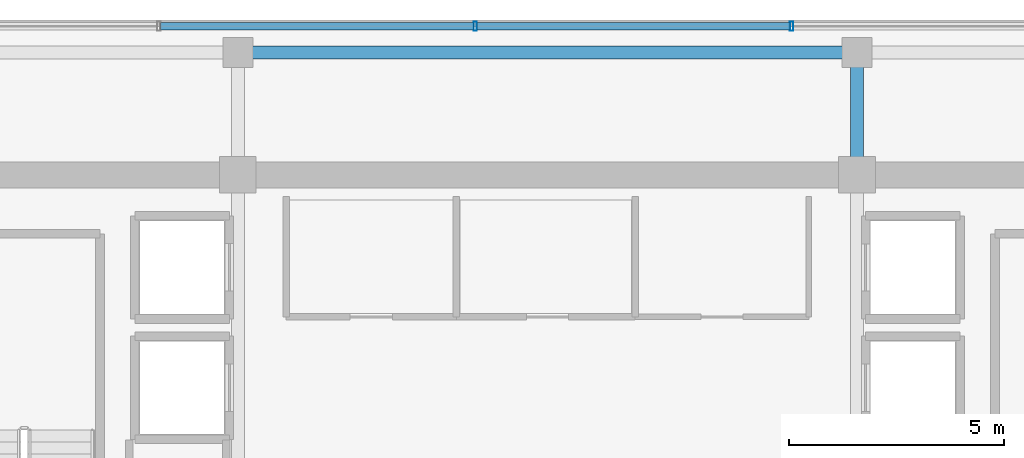
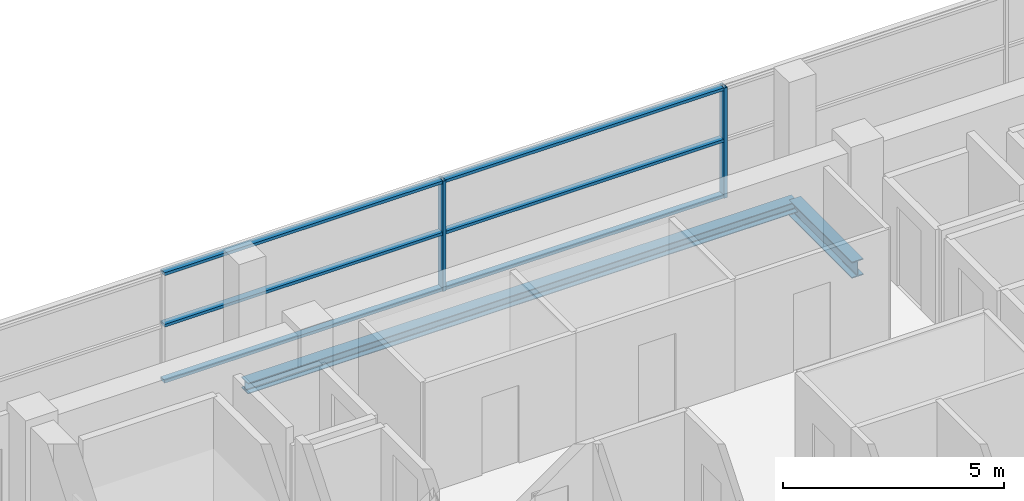
# One storey, part 12 of 21: 8 members, 2 beams, 1 element without a shape of its own.
"""IFC4 building model written with IfcOpenShell, lengths in metres."""

from ifc_helpers import new_model, si_unit, direction, frame, origin, origin_2d, place, context, subcontext, project, spatial, hollow_rectangle, i_section, extrude, source, transform, mapped, material, layer, layer_set, material_profile, profile_set, type_object, element, aggregate, save


model = new_model("IFC4")

# Units and contexts
model_context = context("Model", 3, precision=1e-05, world=origin(), true_north=direction((0.0, 1.0)))
body_context = subcontext(model_context, "Body", "Model", "MODEL_VIEW")
ifc_project = project(units=[si_unit("LENGTHUNIT", "METRE"), si_unit("AREAUNIT", "SQUARE_METRE"), si_unit("VOLUMEUNIT", "CUBIC_METRE"), si_unit("PLANEANGLEUNIT", "RADIAN"), si_unit("MASSUNIT", "GRAM", prefix="KILO")], contexts=[model_context])

# Site, building, storey
site_placement = place(None, origin())
site = spatial("IfcSite", under=ifc_project, at=site_placement, CompositionType="ELEMENT")
building_placement = place(site_placement, origin())
building = spatial("IfcBuilding", under=site, at=building_placement, Name="Zarnakvel Exchange Tower", CompositionType="ELEMENT")
storey_placement = place(building_placement, frame((0.0, 0.0, 248.5)))
storey = spatial("IfcBuildingStorey", under=building, at=storey_placement, Name="L70", CompositionType="ELEMENT", Elevation=248.5)

# Beams
ifc_material_1 = material(Name="Steel S355", Category="steel")
ifc_material_profile_1 = material_profile(ifc_material_1, i_section(OverallWidth=0.300048828125, OverallDepth=0.449951171875, WebThickness=0.013916015625, FlangeThickness=0.02587890625, FilletRadius=0.027099609375, at=origin_2d()))
ifc_profile_set_1 = profile_set([ifc_material_profile_1], Name="Steel S355")
beam_type_1 = type_object("IfcBeamType", Name="G-07", PredefinedType="BEAM", material=ifc_profile_set_1)
beam_1_placement = place(storey_placement, frame((7.199951171875, 13.5, -0.449951171875), z_axis=(0.0, 1.0, 0.0), x_axis=(-1.0, 0.0, 0.0)))
element("IfcBeam", 1, at=beam_1_placement, inside=storey, type_object=beam_type_1, Name="L70 Tower N-S Frame Beam", PredefinedType="BEAM", context=body_context, shape_type="SweptSolid", body=[
    extrude(i_section(OverallWidth=0.300048828125, OverallDepth=0.449951171875, WebThickness=0.013916015625, FlangeThickness=0.02587890625, FilletRadius=0.027099609375, at=origin_2d()), origin(), (0.0, 0.0, 1.0), 2.85009765625),
])
ifc_material_profile_2 = material_profile(ifc_material_1, i_section(OverallWidth=0.300048828125, OverallDepth=0.300048828125, WebThickness=0.010986328125, FlangeThickness=0.01904296875, FilletRadius=0.027099609375, at=origin_2d()))
ifc_profile_set_2 = profile_set([ifc_material_profile_2], Name="Steel S355")
beam_type_2 = type_object("IfcBeamType", Name="SP-03", PredefinedType="SPANDREL", material=ifc_profile_set_2)
beam_2_placement = place(storey_placement, frame((-7.199951171875, 16.35009765625, -0.375), z_axis=(1.0, 0.0, 0.0), x_axis=(0.0, 1.0, 0.0)))
element("IfcBeam", 2, at=beam_2_placement, inside=storey, type_object=beam_type_2, Name="L70 Tower E-W Frame Beam", PredefinedType="SPANDREL", context=body_context, shape_type="SweptSolid", body=[
    extrude(i_section(OverallWidth=0.300048828125, OverallDepth=0.300048828125, WebThickness=0.010986328125, FlangeThickness=0.01904296875, FilletRadius=0.027099609375, at=origin_2d()), origin(), (0.0, 0.0, 1.0), 14.39990234375),
])

# Curtain wall, members
ifc_material_2 = material(Name="Architectural Bronze Anodised Aluminium", Category="aluminium")
ifc_layer = layer(ifc_material_2, 0.219970703125)
ifc_layer_set = layer_set([ifc_layer], Name="Architectural Bronze Anodised Aluminium")
curtain_wall_type = type_object("IfcCurtainWallType", Name="CW-03", PredefinedType="NOTDEFINED", material=ifc_layer_set)
curtain_wall_placement = place(storey_placement, origin())
curtain_wall = element("IfcCurtainWall", 3, at=curtain_wall_placement, inside=storey, type_object=curtain_wall_type, Name="L70 Curtain Wall CW-L70-N1 (CW-03)", PredefinedType="NOTDEFINED")
ifc_material_profile_3 = material_profile(ifc_material_2, hollow_rectangle(XDim=0.219970703125, YDim=0.080078125, WallThickness=0.0048828125, at=origin_2d()))
ifc_profile_set_3 = profile_set([ifc_material_profile_3], Name="Architectural Bronze Anodised Aluminium")
member_type_1 = type_object("IfcMemberType", Name="CWM-03", PredefinedType="MULLION", material=ifc_profile_set_3)
shared_shape_1 = source(origin(), body_context, "Body", "SweptSolid", [
    extrude(hollow_rectangle(XDim=0.219970703125, YDim=0.080078125, WallThickness=0.0048828125, at=origin_2d()), origin(), (0.0, 0.0, 1.0), 3.054931640625),
])
member_1_placement = place(storey_placement, frame((-1.679931640625, 16.9599609375, 0.0), z_axis=(0.0, 0.0, 1.0), x_axis=(0.0, 1.0, 0.0)))
member_1 = element("IfcMember", 4, at=member_1_placement, type_object=member_type_1, Name="CW-03 mullion 3", PredefinedType="MULLION", context=body_context, shape_type="MappedRepresentation", body=[
    mapped(shared_shape_1, transform((0.0, 0.0, 0.0), x_axis=(1.0, 0.0, 0.0), y_axis=(0.0, 1.0, 0.0), z_axis=(0.0, 0.0, 1.0), scale=1.0)),
])
member_2_placement = place(storey_placement, frame((5.679931640625, 16.9599609375, 0.0), z_axis=(0.0, 0.0, 1.0), x_axis=(0.0, 1.0, 0.0)))
member_2 = element("IfcMember", 5, at=member_2_placement, type_object=member_type_1, Name="CW-03 mullion 4", PredefinedType="MULLION", context=body_context, shape_type="MappedRepresentation", body=[
    mapped(shared_shape_1, transform((0.0, 0.0, 0.0), x_axis=(1.0, 0.0, 0.0), y_axis=(0.0, 1.0, 0.0), z_axis=(0.0, 0.0, 1.0), scale=1.0)),
])
ifc_material_profile_4 = material_profile(ifc_material_2, hollow_rectangle(XDim=0.179931640625, YDim=0.080078125, WallThickness=0.00390625, at=origin_2d()))
ifc_profile_set_4 = profile_set([ifc_material_profile_4], Name="Architectural Bronze Anodised Aluminium")
member_type_2 = type_object("IfcMemberType", Name="CWT-03", PredefinedType="USERDEFINED", material=ifc_profile_set_4)
shared_shape_2 = source(origin(), body_context, "Body", "SweptSolid", [
    extrude(hollow_rectangle(XDim=0.179931640625, YDim=0.080078125, WallThickness=0.00390625, at=origin_2d()), origin(), (0.0, 0.0, 1.0), 7.280029296875),
])
member_3_placement = place(storey_placement, frame((-9.0, 16.9599609375, 0.0400390625), z_axis=(1.0, 0.0, 0.0), x_axis=(0.0, 1.0, 0.0)))
member_3 = element("IfcMember", 6, at=member_3_placement, type_object=member_type_2, Name="CW-03 transom 2.1", ObjectType="TRANSOM", PredefinedType="USERDEFINED", context=body_context, shape_type="MappedRepresentation", body=[
    mapped(shared_shape_2, transform((0.0, 0.0, 0.0), x_axis=(1.0, 0.0, 0.0), y_axis=(0.0, 1.0, 0.0), z_axis=(0.0, 0.0, 1.0), scale=1.0)),
])
member_4_placement = place(storey_placement, frame((-9.0, 16.9599609375, 1.588623046875), z_axis=(1.0, 0.0, 0.0), x_axis=(0.0, 1.0, 0.0)))
member_4 = element("IfcMember", 7, at=member_4_placement, type_object=member_type_2, Name="CW-03 transom 2.2", ObjectType="TRANSOM", PredefinedType="USERDEFINED", context=body_context, shape_type="MappedRepresentation", body=[
    mapped(shared_shape_2, transform((0.0, 0.0, 0.0), x_axis=(1.0, 0.0, 0.0), y_axis=(0.0, 1.0, 0.0), z_axis=(0.0, 0.0, 1.0), scale=1.0)),
])
member_5_placement = place(storey_placement, frame((-9.0, 16.9599609375, 3.014892578125), z_axis=(1.0, 0.0, 0.0), x_axis=(0.0, 1.0, 0.0)))
member_5 = element("IfcMember", 8, at=member_5_placement, type_object=member_type_2, Name="CW-03 transom 2.3", ObjectType="TRANSOM", PredefinedType="USERDEFINED", context=body_context, shape_type="MappedRepresentation", body=[
    mapped(shared_shape_2, transform((0.0, 0.0, 0.0), x_axis=(1.0, 0.0, 0.0), y_axis=(0.0, 1.0, 0.0), z_axis=(0.0, 0.0, 1.0), scale=1.0)),
])
shared_shape_3 = source(origin(), body_context, "Body", "SweptSolid", [
    extrude(hollow_rectangle(XDim=0.179931640625, YDim=0.080078125, WallThickness=0.00390625, at=origin_2d()), origin(), (0.0, 0.0, 1.0), 7.27978515625),
])
member_6_placement = place(storey_placement, frame((-1.639892578125, 16.9599609375, 0.0400390625), z_axis=(1.0, 0.0, 0.0), x_axis=(0.0, 1.0, 0.0)))
member_6 = element("IfcMember", 9, at=member_6_placement, type_object=member_type_2, Name="CW-03 transom 3.1", ObjectType="TRANSOM", PredefinedType="USERDEFINED", context=body_context, shape_type="MappedRepresentation", body=[
    mapped(shared_shape_3, transform((0.0, 0.0, 0.0), x_axis=(1.0, 0.0, 0.0), y_axis=(0.0, 1.0, 0.0), z_axis=(0.0, 0.0, 1.0), scale=1.0)),
])
member_7_placement = place(storey_placement, frame((-1.639892578125, 16.9599609375, 1.588623046875), z_axis=(1.0, 0.0, 0.0), x_axis=(0.0, 1.0, 0.0)))
member_7 = element("IfcMember", 10, at=member_7_placement, type_object=member_type_2, Name="CW-03 transom 3.2", ObjectType="TRANSOM", PredefinedType="USERDEFINED", context=body_context, shape_type="MappedRepresentation", body=[
    mapped(shared_shape_3, transform((0.0, 0.0, 0.0), x_axis=(1.0, 0.0, 0.0), y_axis=(0.0, 1.0, 0.0), z_axis=(0.0, 0.0, 1.0), scale=1.0)),
])
member_8_placement = place(storey_placement, frame((-1.639892578125, 16.9599609375, 3.014892578125), z_axis=(1.0, 0.0, 0.0), x_axis=(0.0, 1.0, 0.0)))
member_8 = element("IfcMember", 11, at=member_8_placement, type_object=member_type_2, Name="CW-03 transom 3.3", ObjectType="TRANSOM", PredefinedType="USERDEFINED", context=body_context, shape_type="MappedRepresentation", body=[
    mapped(shared_shape_3, transform((0.0, 0.0, 0.0), x_axis=(1.0, 0.0, 0.0), y_axis=(0.0, 1.0, 0.0), z_axis=(0.0, 0.0, 1.0), scale=1.0)),
])
aggregate(curtain_wall, [member_1, member_2, member_3, member_4, member_5, member_6, member_7, member_8])

save(model, "model.ifc")
